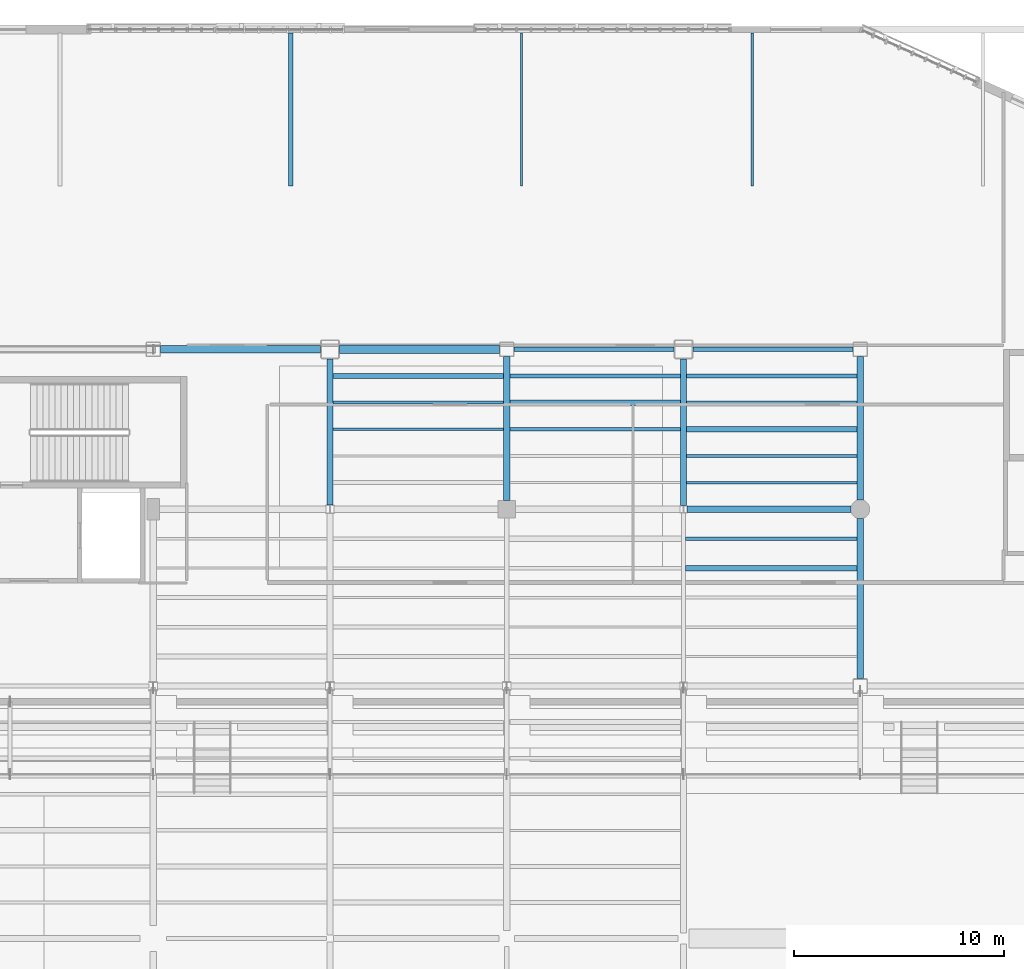
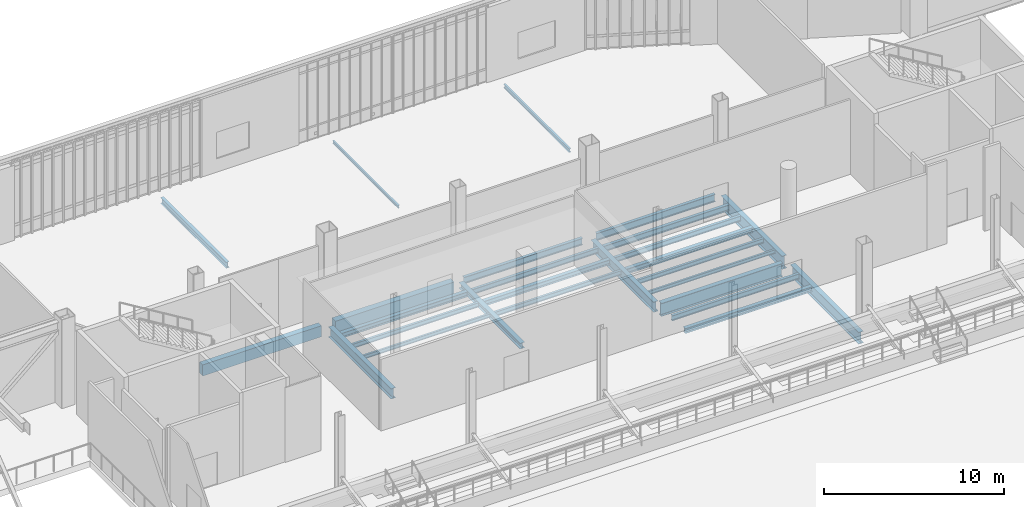
# One storey, part 29 of 135: 26 beams.
"""IFC4 building model written with IfcOpenShell, lengths in metres."""

from ifc_helpers import new_model, si_unit, direction, frame, origin, origin_2d, place, context, subcontext, project, spatial, rectangle, i_section, extrude, material, material_profile, profile_set, type_object, element, save


model = new_model("IFC4")

# Units and contexts
model_context = context("Model", 3, precision=1e-05, world=origin(), true_north=direction((0.0, 1.0)))
body_context = subcontext(model_context, "Body", "Model", "MODEL_VIEW")
ifc_project = project(units=[si_unit("LENGTHUNIT", "METRE"), si_unit("AREAUNIT", "SQUARE_METRE"), si_unit("VOLUMEUNIT", "CUBIC_METRE"), si_unit("PLANEANGLEUNIT", "RADIAN"), si_unit("MASSUNIT", "GRAM", prefix="KILO")], contexts=[model_context])

# Site, building, storey
site_placement = place(None, origin())
site = spatial("IfcSite", under=ifc_project, at=site_placement, CompositionType="ELEMENT")
building_placement = place(site_placement, origin())
building = spatial("IfcBuilding", under=site, at=building_placement, Name="Larkvane Passage Sports Hall", CompositionType="ELEMENT")
storey_placement = place(building_placement, frame((0.0, 0.0, 10.800048828125)))
storey = spatial("IfcBuildingStorey", under=building, at=storey_placement, Name="L02", CompositionType="ELEMENT", Elevation=10.800048828125)

# Beams
ifc_material_1 = material(Name="Steel S355JR", Category="steel")
ifc_material_profile_1 = material_profile(ifc_material_1, i_section(OverallWidth=0.300048828125, OverallDepth=0.389892578125, WebThickness=0.010009765625, FlangeThickness=0.01611328125, FilletRadius=0.01806640625, at=origin_2d()), Name="H-390x300x10x16")
ifc_profile_set_1 = profile_set([ifc_material_profile_1], Name="Steel S355JR")
beam_type_1 = type_object("IfcBeamType", Name="BM-STL-H390", PredefinedType="BEAM", material=ifc_profile_set_1)
beam_1_placement = place(storey_placement, frame((60.0, 84.425048828125, -0.614990234375), z_axis=(0.0, 1.0, 0.0), x_axis=(-1.0, 0.0, 0.0)))
element("IfcBeam", 1, at=beam_1_placement, inside=storey, type_object=beam_type_1, Name="Girder BM5-Y-L02-9-0756", PredefinedType="BEAM", context=body_context, shape_type="SweptSolid", body=[
    extrude(i_section(OverallWidth=0.300048828125, OverallDepth=0.389892578125, WebThickness=0.010009765625, FlangeThickness=0.01611328125, FilletRadius=0.01806640625, at=origin_2d()), origin(), (0.0, 0.0, 1.0), 6.824951171875),
])
ifc_material_2 = material(Name="Steel S460N", Category="steel")
ifc_material_profile_2 = material_profile(ifc_material_2, i_section(OverallWidth=0.300048828125, OverallDepth=0.69189453125, WebThickness=0.012939453125, FlangeThickness=0.02001953125, FilletRadius=0.02197265625, at=origin_2d()), Name="H-692x300x13x20")
ifc_profile_set_2 = profile_set([ifc_material_profile_2], Name="Steel S460N")
beam_type_2 = type_object("IfcBeamType", Name="BM-STL-H692", PredefinedType="BEAM", material=ifc_profile_set_2)
beam_2_placement = place(storey_placement, frame((68.39990234375, 84.175048828125, -0.76611328125), z_axis=(0.0, 1.0, 0.0), x_axis=(-1.0, 0.0, 0.0)))
element("IfcBeam", 2, at=beam_2_placement, inside=storey, type_object=beam_type_2, Name="Girder BM5-Y-L02-10-0762", PredefinedType="BEAM", context=body_context, shape_type="SweptSolid", body=[
    extrude(i_section(OverallWidth=0.300048828125, OverallDepth=0.69189453125, WebThickness=0.012939453125, FlangeThickness=0.02001953125, FilletRadius=0.02197265625, at=origin_2d()), origin(), (0.0, 0.0, 1.0), 6.974853515625),
])
ifc_material_profile_3 = material_profile(ifc_material_2, i_section(OverallWidth=0.300048828125, OverallDepth=0.699951171875, WebThickness=0.012939453125, FlangeThickness=0.02392578125, FilletRadius=0.02197265625, at=origin_2d()), Name="H-700x300x13x24")
ifc_profile_set_3 = profile_set([ifc_material_profile_3], Name="Steel S460N")
beam_type_3 = type_object("IfcBeamType", Name="BM-STL-H700", PredefinedType="BEAM", material=ifc_profile_set_3)
beam_3_placement = place(storey_placement, frame((51.60009765625, 84.199951171875, -0.77001953125), z_axis=(0.0, 1.0, 0.0), x_axis=(-1.0, 0.0, 0.0)))
element("IfcBeam", 3, at=beam_3_placement, inside=storey, type_object=beam_type_3, Name="Girder BM5-Y-L02-8-0750", PredefinedType="BEAM", context=body_context, shape_type="SweptSolid", body=[
    extrude(i_section(OverallWidth=0.300048828125, OverallDepth=0.699951171875, WebThickness=0.012939453125, FlangeThickness=0.02392578125, FilletRadius=0.02197265625, at=origin_2d()), origin(), (0.0, 0.0, 1.0), 6.949951171875),
])
ifc_material_profile_4 = material_profile(ifc_material_2, i_section(OverallWidth=0.300048828125, OverallDepth=0.800048828125, WebThickness=0.013916015625, FlangeThickness=0.02587890625, FilletRadius=0.02197265625, at=origin_2d()), Name="H-800x300x14x26")
ifc_profile_set_4 = profile_set([ifc_material_profile_4], Name="Steel S460N")
beam_type_4 = type_object("IfcBeamType", Name="BM-STL-H800", PredefinedType="BEAM", material=ifc_profile_set_4)
beam_4_placement = place(storey_placement, frame((76.800048828125, 75.949951171875, -0.820068359375), z_axis=(0.0, 1.0, 0.0), x_axis=(-1.0, 0.0, 0.0)))
element("IfcBeam", 4, at=beam_4_placement, inside=storey, type_object=beam_type_4, Name="Girder BM5-Y-L02-11-0765", PredefinedType="BEAM", context=body_context, shape_type="SweptSolid", body=[
    extrude(i_section(OverallWidth=0.300048828125, OverallDepth=0.800048828125, WebThickness=0.013916015625, FlangeThickness=0.02587890625, FilletRadius=0.02197265625, at=origin_2d()), origin(), (0.0, 0.0, 1.0), 7.60009765625),
])
ifc_material_profile_5 = material_profile(ifc_material_2, i_section(OverallWidth=0.299072265625, OverallDepth=0.889892578125, WebThickness=0.014892578125, FlangeThickness=0.02294921875, FilletRadius=0.02197265625, at=origin_2d()), Name="H-890x299x15x23")
ifc_profile_set_5 = profile_set([ifc_material_profile_5], Name="Steel S460N")
beam_type_5 = type_object("IfcBeamType", Name="BM-STL-H890", PredefinedType="BEAM", material=ifc_profile_set_5)
beam_5_placement = place(storey_placement, frame((68.574951171875, 84.0, -0.864990234375), z_axis=(1.0, 0.0, 0.0), x_axis=(0.0, 1.0, 0.0)))
element("IfcBeam", 5, at=beam_5_placement, inside=storey, type_object=beam_type_5, Name="Girder BM5-X-L02-K-0727", PredefinedType="BEAM", context=body_context, shape_type="SweptSolid", body=[
    extrude(i_section(OverallWidth=0.299072265625, OverallDepth=0.889892578125, WebThickness=0.014892578125, FlangeThickness=0.02294921875, FilletRadius=0.02197265625, at=origin_2d()), origin(), (0.0, 0.0, 1.0), 7.775146484375),
])
beam_6_placement = place(storey_placement, frame((76.800048828125, 84.449951171875, -0.864990234375), z_axis=(0.0, 1.0, 0.0), x_axis=(-1.0, 0.0, 0.0)))
element("IfcBeam", 6, at=beam_6_placement, inside=storey, type_object=beam_type_5, Name="Girder BM5-Y-L02-11-0766", PredefinedType="BEAM", context=body_context, shape_type="SweptSolid", body=[
    extrude(i_section(OverallWidth=0.299072265625, OverallDepth=0.889892578125, WebThickness=0.014892578125, FlangeThickness=0.02294921875, FilletRadius=0.02197265625, at=origin_2d()), origin(), (0.0, 0.0, 1.0), 6.800048828125),
])
ifc_material_profile_6 = material_profile(ifc_material_1, i_section(OverallWidth=0.10009765625, OverallDepth=0.199951171875, WebThickness=0.005615234375, FlangeThickness=0.008056640625, FilletRadius=0.008056640625, at=origin_2d()), Name="H-200x100x5.5x8")
ifc_profile_set_6 = profile_set([ifc_material_profile_6], Name="Steel S355JR")
beam_type_6 = type_object("IfcBeamType", Name="JST-STL-H200", PredefinedType="JOIST", material=ifc_profile_set_6)
beam_7_placement = place(storey_placement, frame((60.699951171875, 99.360107421875, -0.52001953125), z_axis=(0.0, 1.0, 0.0), x_axis=(-1.0, 0.0, 0.0)))
element("IfcBeam", 7, at=beam_7_placement, inside=storey, type_object=beam_type_6, Name="Cantilever floor joist CT-N2A--3-3", PredefinedType="JOIST", context=body_context, shape_type="SweptSolid", body=[
    extrude(i_section(OverallWidth=0.10009765625, OverallDepth=0.199951171875, WebThickness=0.005615234375, FlangeThickness=0.008056640625, FilletRadius=0.008056640625, at=origin_2d()), origin(), (0.0, 0.0, 1.0), 7.27978515625),
])
ifc_material_profile_7 = material_profile(ifc_material_1, i_section(OverallWidth=0.125, OverallDepth=0.25, WebThickness=0.006103515625, FlangeThickness=0.009033203125, FilletRadius=0.008056640625, at=origin_2d()), Name="H-250x125x6x9")
ifc_profile_set_7 = profile_set([ifc_material_profile_7], Name="Steel S355JR")
beam_type_7 = type_object("IfcBeamType", Name="JST-STL-H250", PredefinedType="JOIST", material=ifc_profile_set_7)
beam_8_placement = place(storey_placement, frame((51.75, 87.800048828125, -0.545166015625), z_axis=(1.0, 0.0, 0.0), x_axis=(0.0, 1.0, 0.0)))
element("IfcBeam", 8, at=beam_8_placement, inside=storey, type_object=beam_type_7, Name="Composite joist L02 8/K-3", PredefinedType="JOIST", context=body_context, shape_type="SweptSolid", body=[
    extrude(i_section(OverallWidth=0.125, OverallDepth=0.25, WebThickness=0.006103515625, FlangeThickness=0.009033203125, FilletRadius=0.008056640625, at=origin_2d()), origin(), (0.0, 0.0, 1.0), 8.10009765625),
])
beam_9_placement = place(storey_placement, frame((68.550048828125, 85.2666015625, -0.545166015625), z_axis=(1.0, 0.0, 0.0), x_axis=(0.0, 1.0, 0.0)))
element("IfcBeam", 9, at=beam_9_placement, inside=storey, type_object=beam_type_7, Name="Composite joist L02 10/K-1", PredefinedType="JOIST", context=body_context, shape_type="SweptSolid", body=[
    extrude(i_section(OverallWidth=0.125, OverallDepth=0.25, WebThickness=0.006103515625, FlangeThickness=0.009033203125, FilletRadius=0.008056640625, at=origin_2d()), origin(), (0.0, 0.0, 1.0), 8.100341796875),
])
beam_10_placement = place(storey_placement, frame((71.666748046875, 99.360107421875, -0.545166015625), z_axis=(0.0, 1.0, 0.0), x_axis=(-1.0, 0.0, 0.0)))
element("IfcBeam", 10, at=beam_10_placement, inside=storey, type_object=beam_type_7, Name="Cantilever floor joist CT-N2A--3-4", PredefinedType="JOIST", context=body_context, shape_type="SweptSolid", body=[
    extrude(i_section(OverallWidth=0.125, OverallDepth=0.25, WebThickness=0.006103515625, FlangeThickness=0.009033203125, FilletRadius=0.008056640625, at=origin_2d()), origin(), (0.0, 0.0, 1.0), 7.27978515625),
])
ifc_material_profile_8 = material_profile(ifc_material_1, i_section(OverallWidth=0.14990234375, OverallDepth=0.300048828125, WebThickness=0.006591796875, FlangeThickness=0.009033203125, FilletRadius=0.012939453125, at=origin_2d()), Name="H-300x150x6.5x9")
ifc_profile_set_8 = profile_set([ifc_material_profile_8], Name="Steel S355JR")
beam_type_8 = type_object("IfcBeamType", Name="JST-STL-H300", PredefinedType="JOIST", material=ifc_profile_set_8)
for number, where, z_axis, x_axis, name in (
    (11, (51.75, 89.066650390625, -0.570068359375), (1.0, 0.0, 0.0), (0.0, 1.0, 0.0), "Composite joist L02 8/K-4"),
    (12, (60.14990234375, 87.800048828125, -0.570068359375), (1.0, 0.0, 0.0), (0.0, 1.0, 0.0), "Composite joist L02 9/K-3"),
):
    element("IfcBeam", number, at=place(storey_placement, frame(where, z_axis=z_axis, x_axis=x_axis)), inside=storey, type_object=beam_type_8, Name=name, PredefinedType="JOIST", context=body_context, shape_type="SweptSolid", body=[
        extrude(i_section(OverallWidth=0.14990234375, OverallDepth=0.300048828125, WebThickness=0.006591796875, FlangeThickness=0.009033203125, FilletRadius=0.012939453125, at=origin_2d()), origin(), (0.0, 0.0, 1.0), 8.10009765625),
    ])
beam_11_placement = place(storey_placement, frame((68.550048828125, 86.533447265625, -0.570068359375), z_axis=(1.0, 0.0, 0.0), x_axis=(0.0, 1.0, 0.0)))
element("IfcBeam", 13, at=beam_11_placement, inside=storey, type_object=beam_type_8, Name="Composite joist L02 10/K-2", PredefinedType="JOIST", context=body_context, shape_type="SweptSolid", body=[
    extrude(i_section(OverallWidth=0.14990234375, OverallDepth=0.300048828125, WebThickness=0.006591796875, FlangeThickness=0.009033203125, FilletRadius=0.012939453125, at=origin_2d()), origin(), (0.0, 0.0, 1.0), 8.100341796875),
])
ifc_material_profile_9 = material_profile(ifc_material_1, i_section(OverallWidth=0.25, OverallDepth=0.340087890625, WebThickness=0.009033203125, FlangeThickness=0.013916015625, FilletRadius=0.012939453125, at=origin_2d()), Name="H-340x250x9x14")
ifc_profile_set_9 = profile_set([ifc_material_profile_9], Name="Steel S355JR")
beam_type_9 = type_object("IfcBeamType", Name="JST-STL-H340", PredefinedType="JOIST", material=ifc_profile_set_9)
for number, where, z_axis, x_axis, name in (
    (14, (51.75, 90.333251953125, -0.590087890625), (1.0, 0.0, 0.0), (0.0, 1.0, 0.0), "Composite joist L02 8/K-5"),
    (15, (60.14990234375, 89.066650390625, -0.590087890625), (1.0, 0.0, 0.0), (0.0, 1.0, 0.0), "Composite joist L02 9/K-4"),
):
    element("IfcBeam", number, at=place(storey_placement, frame(where, z_axis=z_axis, x_axis=x_axis)), inside=storey, type_object=beam_type_9, Name=name, PredefinedType="JOIST", context=body_context, shape_type="SweptSolid", body=[
        extrude(i_section(OverallWidth=0.25, OverallDepth=0.340087890625, WebThickness=0.009033203125, FlangeThickness=0.013916015625, FilletRadius=0.012939453125, at=origin_2d()), origin(), (0.0, 0.0, 1.0), 8.10009765625),
    ])
beam_12_placement = place(storey_placement, frame((68.5, 81.199951171875, -0.590087890625), z_axis=(1.0, 0.0, 0.0), x_axis=(0.0, 1.0, 0.0)))
element("IfcBeam", 16, at=beam_12_placement, inside=storey, type_object=beam_type_9, Name="Composite joist L02 10/J-4", PredefinedType="JOIST", context=body_context, shape_type="SweptSolid", body=[
    extrude(i_section(OverallWidth=0.25, OverallDepth=0.340087890625, WebThickness=0.009033203125, FlangeThickness=0.013916015625, FilletRadius=0.012939453125, at=origin_2d()), origin(), (0.0, 0.0, 1.0), 8.14990234375),
])
beam_13_placement = place(storey_placement, frame((68.550048828125, 87.800048828125, -0.590087890625), z_axis=(1.0, 0.0, 0.0), x_axis=(0.0, 1.0, 0.0)))
element("IfcBeam", 17, at=beam_13_placement, inside=storey, type_object=beam_type_9, Name="Composite joist L02 10/K-3", PredefinedType="JOIST", context=body_context, shape_type="SweptSolid", body=[
    extrude(i_section(OverallWidth=0.25, OverallDepth=0.340087890625, WebThickness=0.009033203125, FlangeThickness=0.013916015625, FilletRadius=0.012939453125, at=origin_2d()), origin(), (0.0, 0.0, 1.0), 8.100341796875),
])
ifc_material_profile_10 = material_profile(ifc_material_1, i_section(OverallWidth=0.175048828125, OverallDepth=0.35009765625, WebThickness=0.007080078125, FlangeThickness=0.010986328125, FilletRadius=0.012939453125, at=origin_2d()), Name="H-350x175x7x11")
ifc_profile_set_10 = profile_set([ifc_material_profile_10], Name="Steel S355JR")
beam_type_10 = type_object("IfcBeamType", Name="JST-STL-H350", PredefinedType="JOIST", material=ifc_profile_set_10)
beam_14_placement = place(storey_placement, frame((60.14990234375, 90.333251953125, -0.594970703125), z_axis=(1.0, 0.0, 0.0), x_axis=(0.0, 1.0, 0.0)))
element("IfcBeam", 18, at=beam_14_placement, inside=storey, type_object=beam_type_10, Name="Composite joist L02 9/K-5", PredefinedType="JOIST", context=body_context, shape_type="SweptSolid", body=[
    extrude(i_section(OverallWidth=0.175048828125, OverallDepth=0.35009765625, WebThickness=0.007080078125, FlangeThickness=0.010986328125, FilletRadius=0.012939453125, at=origin_2d()), origin(), (0.0, 0.0, 1.0), 8.10009765625),
])
beam_15_placement = place(storey_placement, frame((68.5, 82.60009765625, -0.594970703125), z_axis=(1.0, 0.0, 0.0), x_axis=(0.0, 1.0, 0.0)))
element("IfcBeam", 19, at=beam_15_placement, inside=storey, type_object=beam_type_10, Name="Composite joist L02 10/J-5", PredefinedType="JOIST", context=body_context, shape_type="SweptSolid", body=[
    extrude(i_section(OverallWidth=0.175048828125, OverallDepth=0.35009765625, WebThickness=0.007080078125, FlangeThickness=0.010986328125, FilletRadius=0.012939453125, at=origin_2d()), origin(), (0.0, 0.0, 1.0), 8.14990234375),
])
beam_16_placement = place(storey_placement, frame((68.550048828125, 89.066650390625, -0.594970703125), z_axis=(1.0, 0.0, 0.0), x_axis=(0.0, 1.0, 0.0)))
element("IfcBeam", 20, at=beam_16_placement, inside=storey, type_object=beam_type_10, Name="Composite joist L02 10/K-4", PredefinedType="JOIST", context=body_context, shape_type="SweptSolid", body=[
    extrude(i_section(OverallWidth=0.175048828125, OverallDepth=0.35009765625, WebThickness=0.007080078125, FlangeThickness=0.010986328125, FilletRadius=0.012939453125, at=origin_2d()), origin(), (0.0, 0.0, 1.0), 8.100341796875),
])
ifc_material_profile_11 = material_profile(ifc_material_1, i_section(OverallWidth=0.199951171875, OverallDepth=0.39990234375, WebThickness=0.008056640625, FlangeThickness=0.012939453125, FilletRadius=0.012939453125, at=origin_2d()), Name="H-400x200x8x13")
ifc_profile_set_11 = profile_set([ifc_material_profile_11], Name="Steel S355JR")
beam_type_11 = type_object("IfcBeamType", Name="JST-STL-H400", PredefinedType="JOIST", material=ifc_profile_set_11)
beam_17_placement = place(storey_placement, frame((68.550048828125, 90.333251953125, -0.6201171875), z_axis=(1.0, 0.0, 0.0), x_axis=(0.0, 1.0, 0.0)))
element("IfcBeam", 21, at=beam_17_placement, inside=storey, type_object=beam_type_11, Name="Composite joist L02 10/K-5", PredefinedType="JOIST", context=body_context, shape_type="SweptSolid", body=[
    extrude(i_section(OverallWidth=0.199951171875, OverallDepth=0.39990234375, WebThickness=0.008056640625, FlangeThickness=0.012939453125, FilletRadius=0.012939453125, at=origin_2d()), origin(), (0.0, 0.0, 1.0), 8.100341796875),
])
beam_18_placement = place(storey_placement, frame((49.7333984375, 99.360107421875, -0.6201171875), z_axis=(0.0, 1.0, 0.0), x_axis=(-1.0, 0.0, 0.0)))
element("IfcBeam", 22, at=beam_18_placement, inside=storey, type_object=beam_type_11, Name="Cantilever floor joist CT-N2A--3-2", PredefinedType="JOIST", context=body_context, shape_type="SweptSolid", body=[
    extrude(i_section(OverallWidth=0.199951171875, OverallDepth=0.39990234375, WebThickness=0.008056640625, FlangeThickness=0.012939453125, FilletRadius=0.012939453125, at=origin_2d()), origin(), (0.0, 0.0, 1.0), 7.27978515625),
])
ifc_material_3 = material(Name="Concrete C40/50", Category="concrete")
ifc_material_profile_12 = material_profile(ifc_material_3, rectangle(XDim=0.35009765625, YDim=0.75, at=origin_2d()), Name="RC-SP-350x750")
ifc_profile_set_12 = profile_set([ifc_material_profile_12], Name="Concrete C40/50")
beam_type_12 = type_object("IfcBeamType", Name="SP-RC-350x750", PredefinedType="SPANDREL", material=ifc_profile_set_12)
beam_19_placement = place(storey_placement, frame((43.550048828125, 91.60009765625, -0.795166015625), z_axis=(1.0, 0.0, 0.0), x_axis=(0.0, 1.0, 0.0)))
element("IfcBeam", 23, at=beam_19_placement, inside=storey, type_object=beam_type_12, Name="Girder BM5-X-L02-L-0729", PredefinedType="SPANDREL", context=body_context, shape_type="SweptSolid", body=[
    extrude(rectangle(XDim=0.35009765625, YDim=0.75, at=origin_2d()), origin(), (0.0, 0.0, 1.0), 7.599853515625),
])
ifc_material_profile_13 = material_profile(ifc_material_3, rectangle(XDim=0.39990234375, YDim=0.85009765625, at=origin_2d()), Name="RC-SP-400x850")
ifc_profile_set_13 = profile_set([ifc_material_profile_13], Name="Concrete C40/50")
beam_type_13 = type_object("IfcBeamType", Name="SP-RC-400x850", PredefinedType="SPANDREL", material=ifc_profile_set_13)
beam_20_placement = place(storey_placement, frame((52.050048828125, 91.60009765625, -0.844970703125), z_axis=(1.0, 0.0, 0.0), x_axis=(0.0, 1.0, 0.0)))
element("IfcBeam", 24, at=beam_20_placement, inside=storey, type_object=beam_type_13, Name="Girder BM5-X-L02-L-0730", PredefinedType="SPANDREL", context=body_context, shape_type="SweptSolid", body=[
    extrude(rectangle(XDim=0.39990234375, YDim=0.85009765625, at=origin_2d()), origin(), (0.0, 0.0, 1.0), 7.599853515625),
])
ifc_material_profile_14 = material_profile(ifc_material_1, i_section(OverallWidth=0.199951171875, OverallDepth=0.449951171875, WebThickness=0.009033203125, FlangeThickness=0.013916015625, FilletRadius=0.01806640625, at=origin_2d()), Name="H-450x200x9x14")
ifc_profile_set_14 = profile_set([ifc_material_profile_14], Name="Steel S355JR")
beam_type_14 = type_object("IfcBeamType", Name="SP-STL-H450", PredefinedType="SPANDREL", material=ifc_profile_set_14)
beam_21_placement = place(storey_placement, frame((60.35009765625, 91.60009765625, -0.64501953125), z_axis=(1.0, 0.0, 0.0), x_axis=(0.0, 1.0, 0.0)))
element("IfcBeam", 25, at=beam_21_placement, inside=storey, type_object=beam_type_14, Name="Girder BM5-X-L02-L-0731", PredefinedType="SPANDREL", context=body_context, shape_type="SweptSolid", body=[
    extrude(i_section(OverallWidth=0.199951171875, OverallDepth=0.449951171875, WebThickness=0.009033203125, FlangeThickness=0.013916015625, FilletRadius=0.01806640625, at=origin_2d()), origin(), (0.0, 0.0, 1.0), 7.599853515625),
])
ifc_material_profile_15 = material_profile(ifc_material_1, i_section(OverallWidth=0.199951171875, OverallDepth=0.5, WebThickness=0.010009765625, FlangeThickness=0.01611328125, FilletRadius=0.01806640625, at=origin_2d()), Name="H-500x200x10x16")
ifc_profile_set_15 = profile_set([ifc_material_profile_15], Name="Steel S355JR")
beam_type_15 = type_object("IfcBeamType", Name="SP-STL-H500", PredefinedType="SPANDREL", material=ifc_profile_set_15)
beam_22_placement = place(storey_placement, frame((68.85009765625, 91.60009765625, -0.670166015625), z_axis=(1.0, 0.0, 0.0), x_axis=(0.0, 1.0, 0.0)))
element("IfcBeam", 26, at=beam_22_placement, inside=storey, type_object=beam_type_15, Name="Girder BM5-X-L02-L-0732", PredefinedType="SPANDREL", context=body_context, shape_type="SweptSolid", body=[
    extrude(i_section(OverallWidth=0.199951171875, OverallDepth=0.5, WebThickness=0.010009765625, FlangeThickness=0.01611328125, FilletRadius=0.01806640625, at=origin_2d()), origin(), (0.0, 0.0, 1.0), 7.599853515625),
])

save(model, "model.ifc")
